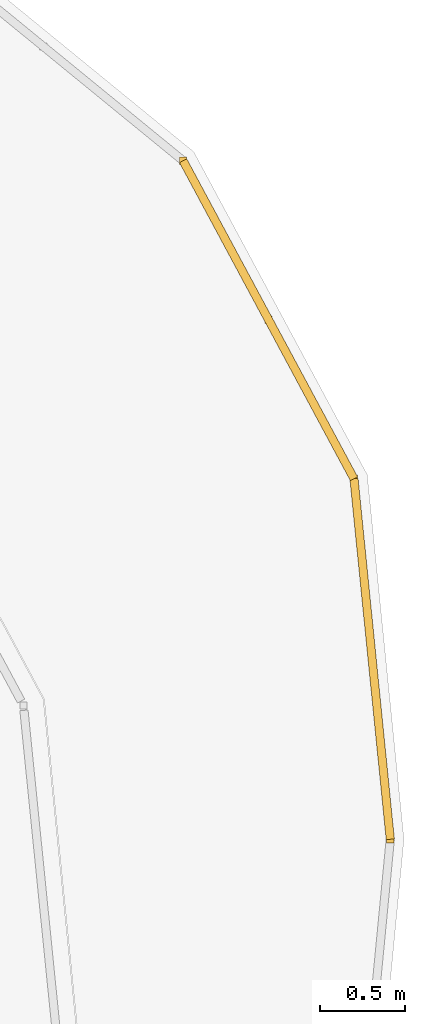
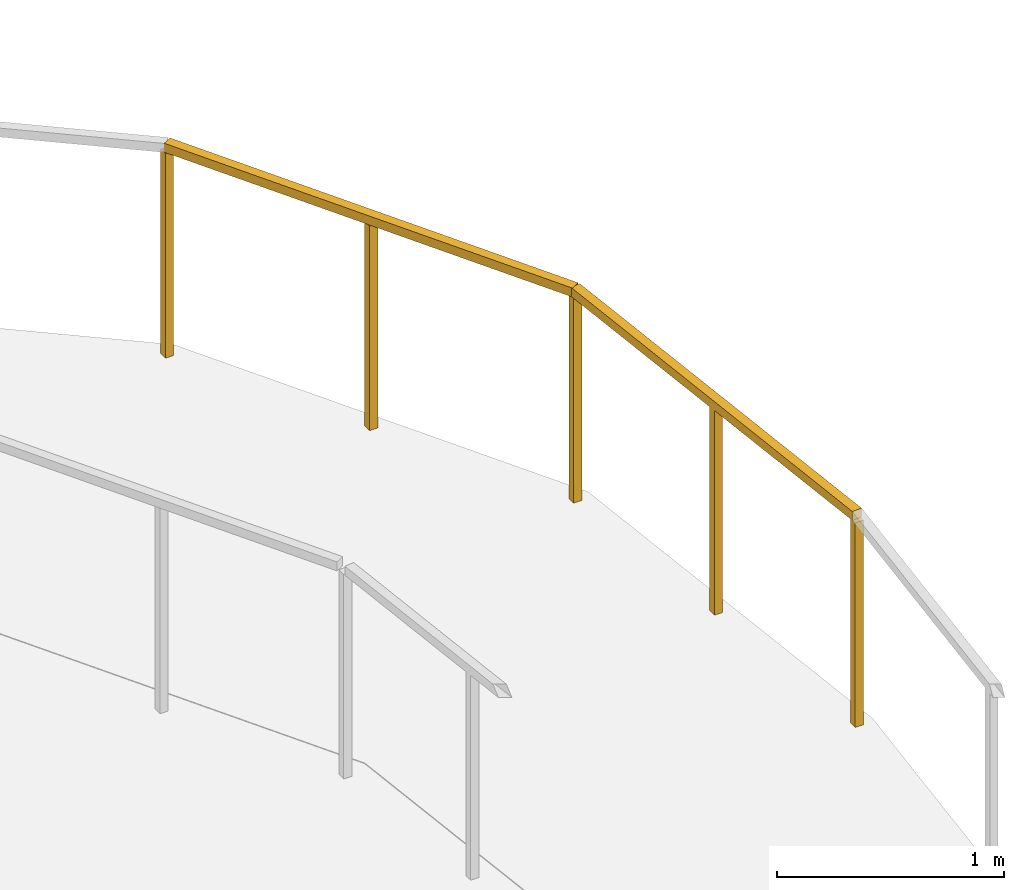
# One storey, part 23 of 23: 2 railings.
"""IFC4 building model written with IfcOpenShell, lengths in metres."""

from ifc_helpers import new_model, si_unit, direction, frame, origin, origin_2d, place, context, subcontext, project, spatial, rectangle, extrude, material, type_object, element, save


model = new_model("IFC4")

# Units and contexts
model_context = context("Model", 3, precision=1e-05, world=origin(), true_north=direction((0.0, 1.0)))
body_context = subcontext(model_context, "Body", "Model", "MODEL_VIEW")
ifc_project = project(units=[si_unit("LENGTHUNIT", "METRE"), si_unit("AREAUNIT", "SQUARE_METRE"), si_unit("VOLUMEUNIT", "CUBIC_METRE"), si_unit("PLANEANGLEUNIT", "RADIAN"), si_unit("MASSUNIT", "GRAM", prefix="KILO")], contexts=[model_context])

# Site, building, storey
site_placement = place(None, origin())
site = spatial("IfcSite", under=ifc_project, at=site_placement, CompositionType="ELEMENT")
building_placement = place(site_placement, origin())
building = spatial("IfcBuilding", under=site, at=building_placement, Name="Qhalaya Broadcast Tower", CompositionType="ELEMENT")
storey_placement = place(building_placement, frame((0.0, 0.0, 276.949951171875)))
storey = spatial("IfcBuildingStorey", under=building, at=storey_placement, Name="L82", CompositionType="ELEMENT", Elevation=276.949951171875)

# Railings
ifc_material = material(Name="Powder-Coated Galvanised Steel", Category="steel")
railing_type = type_object("IfcRailingType", Name="Terrace, Sky-Pool & Lookout Glass Balustrade 1150", PredefinedType="BALUSTRADE", material=ifc_material)
railing_1_placement = place(storey_placement, frame((23.32568359375, 12.77001953125, 0.0)))
element("IfcRailing", 1, at=railing_1_placement, inside=storey, type_object=railing_type, Name="L82 Perimeter Safety Balustrade BAL-TER1-14", PredefinedType="BALUSTRADE", context=body_context, shape_type="SweptSolid", body=[
    extrude(rectangle(XDim=0.048095703125, YDim=0.048095703125, at=origin_2d()), frame((0.0, 0.0, 1.1259765625), z_axis=(0.473349036276, -0.880874956993, 0.0), x_axis=(0.880874956993, 0.473349036276, 0.0)), (0.0, 0.0, 1.0), 2.1142578125),
    extrude(rectangle(XDim=0.0419921875, YDim=0.0419921875, at=origin_2d()), origin(), (0.0, 0.0, 1.0), 1.099853515625),
    extrude(rectangle(XDim=0.0419921875, YDim=0.0419921875, at=origin_2d()), frame((0.50048828125, -0.93115234375, 0.0)), (0.0, 0.0, 1.0), 1.099853515625),
    extrude(rectangle(XDim=0.0419921875, YDim=0.0419921875, at=origin_2d()), frame((1.000732421875, -1.8623046875, 0.0)), (0.0, 0.0, 1.0), 1.099853515625),
])
railing_2_placement = place(storey_placement, frame((24.326416015625, 10.90771484375, 0.0)))
element("IfcRailing", 2, at=railing_2_placement, inside=storey, type_object=railing_type, Name="L82 Perimeter Safety Balustrade BAL-TER1-15", PredefinedType="BALUSTRADE", context=body_context, shape_type="SweptSolid", body=[
    extrude(rectangle(XDim=0.048095703125, YDim=0.048095703125, at=origin_2d()), frame((0.0, 0.0, 1.1259765625), z_axis=(0.100198481383, -0.99496746898, 0.0), x_axis=(0.99496746898, 0.100198481383, 0.0)), (0.0, 0.0, 1.0), 2.122314453125),
    extrude(rectangle(XDim=0.0419921875, YDim=0.0419921875, at=origin_2d()), origin(), (0.0, 0.0, 1.0), 1.099853515625),
    extrude(rectangle(XDim=0.0419921875, YDim=0.0419921875, at=origin_2d()), frame((0.1064453125, -1.0556640625, 0.0)), (0.0, 0.0, 1.0), 1.099853515625),
    extrude(rectangle(XDim=0.0419921875, YDim=0.0419921875, at=origin_2d()), frame((0.212646484375, -2.111572265625, 0.0)), (0.0, 0.0, 1.0), 1.099853515625),
])

save(model, "model.ifc")
